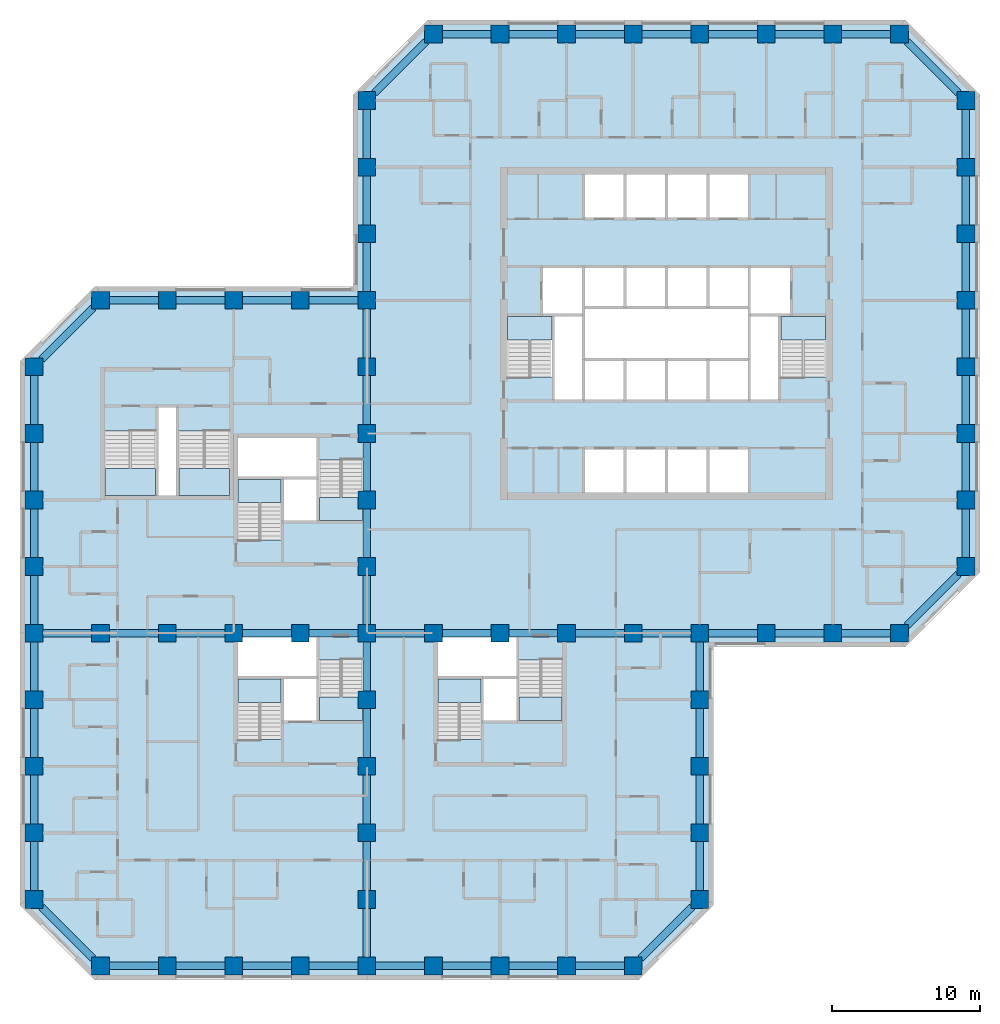
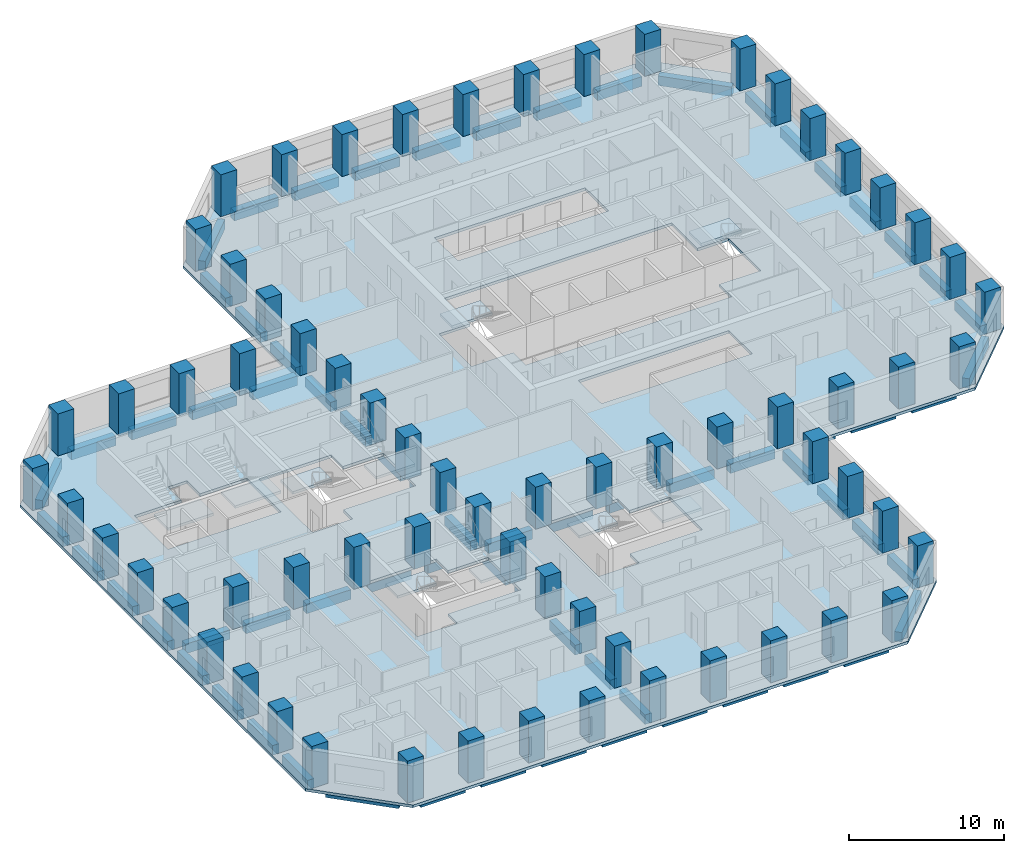
# One storey, part 1 of 12: 70 beams, 67 columns, 11 slabs, 10 elements without a shape of their own.
"""IFC4 building model written with IfcOpenShell, lengths in metres."""

from ifc_helpers import new_model, si_unit, direction, frame, origin, origin_2d, place, context, subcontext, project, spatial, polyline, rectangle, outline, extrude, material, layer, layer_set, material_profile, profile_set, type_object, element, aggregate, save


model = new_model("IFC4")

# Units and contexts
model_context = context("Model", 3, precision=1e-05, world=origin(), true_north=direction((0.0, 1.0)))
body_context = subcontext(model_context, "Body", "Model", "MODEL_VIEW")
ifc_project = project(units=[si_unit("LENGTHUNIT", "METRE"), si_unit("AREAUNIT", "SQUARE_METRE"), si_unit("VOLUMEUNIT", "CUBIC_METRE"), si_unit("PLANEANGLEUNIT", "RADIAN"), si_unit("MASSUNIT", "GRAM", prefix="KILO")], contexts=[model_context])

# Site, building, storey
site_placement = place(None, origin())
site = spatial("IfcSite", under=ifc_project, at=site_placement, CompositionType="ELEMENT")
building_placement = place(site_placement, origin())
building = spatial("IfcBuilding", under=site, at=building_placement, Name="Quoin Convention Tower", CompositionType="ELEMENT")
storey_placement = place(building_placement, frame((0.0, 0.0, 33.0)))
storey = spatial("IfcBuildingStorey", under=building, at=storey_placement, Name="L07", CompositionType="ELEMENT", Elevation=33.0)

# Columns
ifc_material_1 = material(Name="Concrete C80", Category="concrete")
ifc_material_profile_1 = material_profile(ifc_material_1, rectangle(XDim=1.199951171875, YDim=1.199951171875, at=origin_2d()), Name="RC 1200x1200")
ifc_profile_set_1 = profile_set([ifc_material_profile_1], Name="Concrete C80")
column_type = type_object("IfcColumnType", Name="RC 1200x1200 C80", PredefinedType="COLUMN", material=ifc_profile_set_1)
for number, where, z_axis, x_axis, name in (
    (1, (18.0, 18.0, 0.0), (0.0, 0.0, 1.0), (1.0, 0.0, 0.0), "col-L07-18000_18000"),
    (2, (22.5, 18.0, 0.0), (0.0, 0.0, 1.0), (1.0, 0.0, 0.0), "col-L07-22500_18000"),
    (3, (27.0, 18.0, 0.0), (0.0, 0.0, 1.0), (1.0, 0.0, 0.0), "col-L07-27000_18000"),
    (4, (31.5, 18.0, 0.0), (0.0, 0.0, 1.0), (1.0, 0.0, 0.0), "col-L07-31500_18000"),
    (5, (36.0, 18.0, 0.0), (0.0, 0.0, 1.0), (1.0, 0.0, 0.0), "col-L07-36000_18000"),
    (6, (40.5, 18.0, 0.0), (0.0, 0.0, 1.0), (1.0, 0.0, 0.0), "col-L07-40500_18000"),
    (7, (45.0, 18.0, 0.0), (0.0, 0.0, 1.0), (1.0, 0.0, 0.0), "col-L07-45000_18000"),
    (8, (49.5, 18.0, 0.0), (0.0, 0.0, 1.0), (1.0, 0.0, 0.0), "col-L07-49500_18000"),
    (9, (54.0, 18.0, 0.0), (0.0, 0.0, 1.0), (1.0, 0.0, 0.0), "col-L07-54000_18000"),
    (10, (13.5, 22.5, 0.0), (0.0, 0.0, 1.0), (1.0, 0.0, 0.0), "col-L07-13500_22500"),
    (11, (36.0, 22.5, 0.0), (0.0, 0.0, 1.0), (1.0, 0.0, 0.0), "web-L07-36000_22500"),
    (12, (58.5, 22.5, 0.0), (0.0, 0.0, 1.0), (1.0, 0.0, 0.0), "col-L07-58500_22500"),
    (13, (13.5, 27.0, 0.0), (0.0, 0.0, 1.0), (1.0, 0.0, 0.0), "col-L07-13500_27000"),
    (14, (36.0, 27.0, 0.0), (0.0, 0.0, 1.0), (1.0, 0.0, 0.0), "web-L07-36000_27000"),
    (15, (58.5, 27.0, 0.0), (0.0, 0.0, 1.0), (1.0, 0.0, 0.0), "col-L07-58500_27000"),
    (16, (13.5, 31.5, 0.0), (0.0, 0.0, 1.0), (1.0, 0.0, 0.0), "col-L07-13500_31500"),
    (17, (36.0, 31.5, 0.0), (0.0, 0.0, 1.0), (1.0, 0.0, 0.0), "web-L07-36000_31500"),
    (18, (58.5, 31.5, 0.0), (0.0, 0.0, 1.0), (1.0, 0.0, 0.0), "col-L07-58500_31500"),
    (19, (13.5, 36.0, 0.0), (0.0, 0.0, 1.0), (1.0, 0.0, 0.0), "col-L07-13500_36000"),
    (20, (36.0, 36.0, 0.0), (0.0, 0.0, 1.0), (1.0, 0.0, 0.0), "web-L07-36000_36000"),
    (21, (58.5, 36.0, 0.0), (0.0, 0.0, 1.0), (1.0, 0.0, 0.0), "col-L07-58500_36000"),
    (22, (13.5, 40.5, 0.0), (0.0, 0.0, 1.0), (1.0, 0.0, 0.0), "col-L07-13500_40500"),
    (23, (18.0, 40.5, 0.0), (0.0, 0.0, 1.0), (1.0, 0.0, 0.0), "web-L07-18000_40500"),
    (24, (22.5, 40.5, 0.0), (0.0, 0.0, 1.0), (1.0, 0.0, 0.0), "web-L07-22500_40500"),
    (25, (27.0, 40.5, 0.0), (0.0, 0.0, 1.0), (1.0, 0.0, 0.0), "web-L07-27000_40500"),
    (26, (31.5, 40.5, 0.0), (0.0, 0.0, 1.0), (1.0, 0.0, 0.0), "web-L07-31500_40500"),
    (27, (36.0, 40.5, 0.0), (0.0, 0.0, 1.0), (1.0, 0.0, 0.0), "web-L07-36000_40500"),
    (28, (40.5, 40.5, 0.0), (0.0, 0.0, 1.0), (1.0, 0.0, 0.0), "web-L07-40500_40500"),
    (29, (45.0, 40.5, 0.0), (0.0, 0.0, 1.0), (1.0, 0.0, 0.0), "web-L07-45000_40500"),
    (30, (49.5, 40.5, 0.0), (0.0, 0.0, 1.0), (1.0, 0.0, 0.0), "web-L07-49500_40500"),
    (31, (54.0, 40.5, 0.0), (0.0, 0.0, 1.0), (1.0, 0.0, 0.0), "web-L07-54000_40500"),
    (32, (58.5, 40.5, 0.0), (0.0, 0.0, 1.0), (1.0, 0.0, 0.0), "col-L07-58500_40500"),
    (33, (63.0, 40.5, 0.0), (0.0, 0.0, 1.0), (1.0, 0.0, 0.0), "col-L07-63000_40500"),
    (34, (67.5, 40.5, 0.0), (0.0, 0.0, 1.0), (1.0, 0.0, 0.0), "col-L07-67500_40500"),
    (35, (72.0, 40.5, 0.0), (0.0, 0.0, 1.0), (1.0, 0.0, 0.0), "col-L07-72000_40500"),
    (36, (13.5, 45.0, 0.0), (0.0, 0.0, 1.0), (1.0, 0.0, 0.0), "col-L07-13500_45000"),
    (37, (36.0, 45.0, 0.0), (0.0, 0.0, 1.0), (1.0, 0.0, 0.0), "web-L07-36000_45000"),
    (38, (76.5, 45.0, 0.0), (0.0, 0.0, 1.0), (1.0, 0.0, 0.0), "col-L07-76500_45000"),
    (39, (13.5, 49.5, 0.0), (0.0, 0.0, 1.0), (1.0, 0.0, 0.0), "col-L07-13500_49500"),
    (40, (36.0, 49.5, 0.0), (0.0, 0.0, 1.0), (1.0, 0.0, 0.0), "web-L07-36000_49500"),
    (41, (76.5, 49.5, 0.0), (0.0, 0.0, 1.0), (1.0, 0.0, 0.0), "col-L07-76500_49500"),
    (42, (13.5, 54.0, 0.0), (0.0, 0.0, 1.0), (1.0, 0.0, 0.0), "col-L07-13500_54000"),
    (43, (36.0, 54.0, 0.0), (0.0, 0.0, 1.0), (1.0, 0.0, 0.0), "web-L07-36000_54000"),
    (44, (76.5, 54.0, 0.0), (0.0, 0.0, 1.0), (1.0, 0.0, 0.0), "col-L07-76500_54000"),
    (45, (13.5, 58.5, 0.0), (0.0, 0.0, 1.0), (1.0, 0.0, 0.0), "col-L07-13500_58500"),
    (46, (36.0, 58.5, 0.0), (0.0, 0.0, 1.0), (1.0, 0.0, 0.0), "web-L07-36000_58500"),
    (47, (76.5, 58.5, 0.0), (0.0, 0.0, 1.0), (1.0, 0.0, 0.0), "col-L07-76500_58500"),
    (48, (18.0, 63.0, 0.0), (0.0, 0.0, 1.0), (1.0, 0.0, 0.0), "col-L07-18000_63000"),
    (49, (22.5, 63.0, 0.0), (0.0, 0.0, 1.0), (1.0, 0.0, 0.0), "col-L07-22500_63000"),
    (50, (27.0, 63.0, 0.0), (0.0, 0.0, 1.0), (1.0, 0.0, 0.0), "col-L07-27000_63000"),
    (51, (31.5, 63.0, 0.0), (0.0, 0.0, 1.0), (1.0, 0.0, 0.0), "col-L07-31500_63000"),
    (52, (36.0, 63.0, 0.0), (0.0, 0.0, 1.0), (1.0, 0.0, 0.0), "col-L07-36000_63000"),
    (53, (76.5, 63.0, 0.0), (0.0, 0.0, 1.0), (1.0, 0.0, 0.0), "col-L07-76500_63000"),
    (54, (36.0, 67.5, 0.0), (0.0, 0.0, 1.0), (1.0, 0.0, 0.0), "col-L07-36000_67500"),
    (55, (76.5, 67.5, 0.0), (0.0, 0.0, 1.0), (1.0, 0.0, 0.0), "col-L07-76500_67500"),
    (56, (36.0, 72.0, 0.0), (0.0, 0.0, 1.0), (1.0, 0.0, 0.0), "col-L07-36000_72000"),
    (57, (76.5, 72.0, 0.0), (0.0, 0.0, 1.0), (1.0, 0.0, 0.0), "col-L07-76500_72000"),
    (58, (36.0, 76.5, 0.0), (0.0, 0.0, 1.0), (1.0, 0.0, 0.0), "col-L07-36000_76500"),
    (59, (76.5, 76.5, 0.0), (0.0, 0.0, 1.0), (1.0, 0.0, 0.0), "col-L07-76500_76500"),
    (60, (40.5, 81.0, 0.0), (0.0, 0.0, 1.0), (1.0, 0.0, 0.0), "col-L07-40500_81000"),
    (61, (45.0, 81.0, 0.0), (0.0, 0.0, 1.0), (1.0, 0.0, 0.0), "col-L07-45000_81000"),
    (62, (49.5, 81.0, 0.0), (0.0, 0.0, 1.0), (1.0, 0.0, 0.0), "col-L07-49500_81000"),
    (63, (54.0, 81.0, 0.0), (0.0, 0.0, 1.0), (1.0, 0.0, 0.0), "col-L07-54000_81000"),
    (64, (58.5, 81.0, 0.0), (0.0, 0.0, 1.0), (1.0, 0.0, 0.0), "col-L07-58500_81000"),
    (65, (63.0, 81.0, 0.0), (0.0, 0.0, 1.0), (1.0, 0.0, 0.0), "col-L07-63000_81000"),
    (66, (67.5, 81.0, 0.0), (0.0, 0.0, 1.0), (1.0, 0.0, 0.0), "col-L07-67500_81000"),
    (67, (72.0, 81.0, 0.0), (0.0, 0.0, 1.0), (1.0, 0.0, 0.0), "col-L07-72000_81000"),
):
    element("IfcColumn", number, at=place(storey_placement, frame(where, z_axis=z_axis, x_axis=x_axis)), inside=storey, type_object=column_type, Name=name, PredefinedType="COLUMN", context=body_context, shape_type="SweptSolid", body=[
        extrude(rectangle(XDim=1.199951171875, YDim=1.199951171875, at=origin_2d()), origin(), (0.0, 0.0, 1.0), 3.300048828125),
    ])

# Beams
ifc_material_profile_2 = material_profile(ifc_material_1, rectangle(XDim=0.5, YDim=0.75, at=origin_2d()), Name="RC 500x750")
ifc_profile_set_2 = profile_set([ifc_material_profile_2], Name="Concrete C80")
beam_type = type_object("IfcBeamType", Name="RC 500x750 C80", PredefinedType="SPANDREL", material=ifc_profile_set_2)
beam_1_placement = place(storey_placement, frame((14.01513671875, 21.98486328125, -0.594970703125), z_axis=(0.707106781187, -0.707106781187, 0.0), x_axis=(0.707106781187, 0.707106781187, 0.0)))
element("IfcBeam", 68, at=beam_1_placement, inside=storey, type_object=beam_type, Name="spd-L07-13500_22500-18000_18000", PredefinedType="SPANDREL", context=body_context, shape_type="SweptSolid", body=[
    extrude(rectangle(XDim=0.5, YDim=0.75, at=origin_2d()), origin(), (0.0, 0.0, 1.0), 4.906982421875),
])
for number, where, z_axis, x_axis, name in (
    (69, (18.60009765625, 18.0, -0.594970703125), (1.0, 0.0, 0.0), (0.0, 1.0, 0.0), "spd-L07-18000_18000-22500_18000"),
    (70, (23.10009765625, 18.0, -0.594970703125), (1.0, 0.0, 0.0), (0.0, 1.0, 0.0), "spd-L07-22500_18000-27000_18000"),
    (71, (27.60009765625, 18.0, -0.594970703125), (1.0, 0.0, 0.0), (0.0, 1.0, 0.0), "spd-L07-27000_18000-31500_18000"),
    (72, (32.10009765625, 18.0, -0.594970703125), (1.0, 0.0, 0.0), (0.0, 1.0, 0.0), "spd-L07-31500_18000-36000_18000"),
    (73, (36.60009765625, 18.0, -0.594970703125), (1.0, 0.0, 0.0), (0.0, 1.0, 0.0), "spd-L07-36000_18000-40500_18000"),
    (74, (41.10009765625, 18.0, -0.594970703125), (1.0, 0.0, 0.0), (0.0, 1.0, 0.0), "spd-L07-40500_18000-45000_18000"),
    (75, (45.60009765625, 18.0, -0.594970703125), (1.0, 0.0, 0.0), (0.0, 1.0, 0.0), "spd-L07-45000_18000-49500_18000"),
    (76, (50.10009765625, 18.0, -0.594970703125), (1.0, 0.0, 0.0), (0.0, 1.0, 0.0), "spd-L07-49500_18000-54000_18000"),
):
    element("IfcBeam", number, at=place(storey_placement, frame(where, z_axis=z_axis, x_axis=x_axis)), inside=storey, type_object=beam_type, Name=name, PredefinedType="SPANDREL", context=body_context, shape_type="SweptSolid", body=[
        extrude(rectangle(XDim=0.5, YDim=0.75, at=origin_2d()), origin(), (0.0, 0.0, 1.0), 3.2998046875),
    ])
beam_2_placement = place(storey_placement, frame((54.51513671875, 18.51513671875, -0.594970703125), z_axis=(0.707106781187, 0.707106781187, 0.0), x_axis=(-0.707106781187, 0.707106781187, 0.0)))
element("IfcBeam", 77, at=beam_2_placement, inside=storey, type_object=beam_type, Name="spd-L07-54000_18000-58500_22500", PredefinedType="SPANDREL", context=body_context, shape_type="SweptSolid", body=[
    extrude(rectangle(XDim=0.5, YDim=0.75, at=origin_2d()), origin(), (0.0, 0.0, 1.0), 4.906982421875),
])
for number, where, z_axis, x_axis, name in (
    (78, (58.5, 23.10009765625, -0.594970703125), (0.0, 1.0, 0.0), (-1.0, 0.0, 0.0), "spd-L07-58500_22500-58500_27000"),
    (79, (58.5, 27.60009765625, -0.594970703125), (0.0, 1.0, 0.0), (-1.0, 0.0, 0.0), "spd-L07-58500_27000-58500_31500"),
    (80, (58.5, 32.10009765625, -0.594970703125), (0.0, 1.0, 0.0), (-1.0, 0.0, 0.0), "spd-L07-58500_31500-58500_36000"),
    (81, (58.5, 36.60009765625, -0.594970703125), (0.0, 1.0, 0.0), (-1.0, 0.0, 0.0), "spd-L07-58500_36000-58500_40500"),
    (82, (59.10009765625, 40.5, -0.594970703125), (1.0, 0.0, 0.0), (0.0, 1.0, 0.0), "spd-L07-58500_40500-63000_40500"),
    (83, (63.60009765625, 40.5, -0.594970703125), (1.0, 0.0, 0.0), (0.0, 1.0, 0.0), "spd-L07-63000_40500-67500_40500"),
    (84, (68.10009765625, 40.5, -0.594970703125), (1.0, 0.0, 0.0), (0.0, 1.0, 0.0), "spd-L07-67500_40500-72000_40500"),
):
    element("IfcBeam", number, at=place(storey_placement, frame(where, z_axis=z_axis, x_axis=x_axis)), inside=storey, type_object=beam_type, Name=name, PredefinedType="SPANDREL", context=body_context, shape_type="SweptSolid", body=[
        extrude(rectangle(XDim=0.5, YDim=0.75, at=origin_2d()), origin(), (0.0, 0.0, 1.0), 3.2998046875),
    ])
beam_3_placement = place(storey_placement, frame((72.51513671875, 41.01513671875, -0.594970703125), z_axis=(0.707106781187, 0.707106781187, 0.0), x_axis=(-0.707106781187, 0.707106781187, 0.0)))
element("IfcBeam", 85, at=beam_3_placement, inside=storey, type_object=beam_type, Name="spd-L07-72000_40500-76500_45000", PredefinedType="SPANDREL", context=body_context, shape_type="SweptSolid", body=[
    extrude(rectangle(XDim=0.5, YDim=0.75, at=origin_2d()), origin(), (0.0, 0.0, 1.0), 4.906982421875),
])
for number, where, z_axis, x_axis, name in (
    (86, (76.5, 45.60009765625, -0.594970703125), (0.0, 1.0, 0.0), (-1.0, 0.0, 0.0), "spd-L07-76500_45000-76500_49500"),
    (87, (76.5, 50.10009765625, -0.594970703125), (0.0, 1.0, 0.0), (-1.0, 0.0, 0.0), "spd-L07-76500_49500-76500_54000"),
    (88, (76.5, 54.60009765625, -0.594970703125), (0.0, 1.0, 0.0), (-1.0, 0.0, 0.0), "spd-L07-76500_54000-76500_58500"),
    (89, (76.5, 59.10009765625, -0.594970703125), (0.0, 1.0, 0.0), (-1.0, 0.0, 0.0), "spd-L07-76500_58500-76500_63000"),
    (90, (76.5, 63.60009765625, -0.594970703125), (0.0, 1.0, 0.0), (-1.0, 0.0, 0.0), "spd-L07-76500_63000-76500_67500"),
    (91, (76.5, 68.10009765625, -0.594970703125), (0.0, 1.0, 0.0), (-1.0, 0.0, 0.0), "spd-L07-76500_67500-76500_72000"),
    (92, (76.5, 72.60009765625, -0.594970703125), (0.0, 1.0, 0.0), (-1.0, 0.0, 0.0), "spd-L07-76500_72000-76500_76500"),
):
    element("IfcBeam", number, at=place(storey_placement, frame(where, z_axis=z_axis, x_axis=x_axis)), inside=storey, type_object=beam_type, Name=name, PredefinedType="SPANDREL", context=body_context, shape_type="SweptSolid", body=[
        extrude(rectangle(XDim=0.5, YDim=0.75, at=origin_2d()), origin(), (0.0, 0.0, 1.0), 3.2998046875),
    ])
beam_4_placement = place(storey_placement, frame((75.98486328125, 77.01513671875, -0.594970703125), z_axis=(-0.707106781187, 0.707106781187, 0.0), x_axis=(-0.707106781187, -0.707106781187, 0.0)))
element("IfcBeam", 93, at=beam_4_placement, inside=storey, type_object=beam_type, Name="spd-L07-76500_76500-72000_81000", PredefinedType="SPANDREL", context=body_context, shape_type="SweptSolid", body=[
    extrude(rectangle(XDim=0.5, YDim=0.75, at=origin_2d()), origin(), (0.0, 0.0, 1.0), 4.906982421875),
])
for number, where, z_axis, x_axis, name in (
    (94, (71.39990234375, 81.0, -0.594970703125), (-1.0, 0.0, 0.0), (0.0, -1.0, 0.0), "spd-L07-72000_81000-67500_81000"),
    (95, (66.89990234375, 81.0, -0.594970703125), (-1.0, 0.0, 0.0), (0.0, -1.0, 0.0), "spd-L07-67500_81000-63000_81000"),
    (96, (62.39990234375, 81.0, -0.594970703125), (-1.0, 0.0, 0.0), (0.0, -1.0, 0.0), "spd-L07-63000_81000-58500_81000"),
    (97, (57.89990234375, 81.0, -0.594970703125), (-1.0, 0.0, 0.0), (0.0, -1.0, 0.0), "spd-L07-58500_81000-54000_81000"),
    (98, (53.39990234375, 81.0, -0.594970703125), (-1.0, 0.0, 0.0), (0.0, -1.0, 0.0), "spd-L07-54000_81000-49500_81000"),
    (99, (48.89990234375, 81.0, -0.594970703125), (-1.0, 0.0, 0.0), (0.0, -1.0, 0.0), "spd-L07-49500_81000-45000_81000"),
    (100, (44.39990234375, 81.0, -0.594970703125), (-1.0, 0.0, 0.0), (0.0, -1.0, 0.0), "spd-L07-45000_81000-40500_81000"),
):
    element("IfcBeam", number, at=place(storey_placement, frame(where, z_axis=z_axis, x_axis=x_axis)), inside=storey, type_object=beam_type, Name=name, PredefinedType="SPANDREL", context=body_context, shape_type="SweptSolid", body=[
        extrude(rectangle(XDim=0.5, YDim=0.75, at=origin_2d()), origin(), (0.0, 0.0, 1.0), 3.2998046875),
    ])
beam_5_placement = place(storey_placement, frame((39.98486328125, 80.48486328125, -0.594970703125), z_axis=(-0.707106781187, -0.707106781187, 0.0), x_axis=(0.707106781187, -0.707106781187, 0.0)))
element("IfcBeam", 101, at=beam_5_placement, inside=storey, type_object=beam_type, Name="spd-L07-40500_81000-36000_76500", PredefinedType="SPANDREL", context=body_context, shape_type="SweptSolid", body=[
    extrude(rectangle(XDim=0.5, YDim=0.75, at=origin_2d()), origin(), (0.0, 0.0, 1.0), 4.906982421875),
])
for number, where, z_axis, x_axis, name in (
    (102, (36.0, 75.89990234375, -0.594970703125), (0.0, -1.0, 0.0), (1.0, 0.0, 0.0), "spd-L07-36000_76500-36000_72000"),
    (103, (36.0, 71.39990234375, -0.594970703125), (0.0, -1.0, 0.0), (1.0, 0.0, 0.0), "spd-L07-36000_72000-36000_67500"),
    (104, (36.0, 66.89990234375, -0.594970703125), (0.0, -1.0, 0.0), (1.0, 0.0, 0.0), "spd-L07-36000_67500-36000_63000"),
    (105, (35.39990234375, 63.0, -0.594970703125), (-1.0, 0.0, 0.0), (0.0, -1.0, 0.0), "spd-L07-36000_63000-31500_63000"),
    (106, (30.89990234375, 63.0, -0.594970703125), (-1.0, 0.0, 0.0), (0.0, -1.0, 0.0), "spd-L07-31500_63000-27000_63000"),
    (107, (26.39990234375, 63.0, -0.594970703125), (-1.0, 0.0, 0.0), (0.0, -1.0, 0.0), "spd-L07-27000_63000-22500_63000"),
    (108, (21.89990234375, 63.0, -0.594970703125), (-1.0, 0.0, 0.0), (0.0, -1.0, 0.0), "spd-L07-22500_63000-18000_63000"),
):
    element("IfcBeam", number, at=place(storey_placement, frame(where, z_axis=z_axis, x_axis=x_axis)), inside=storey, type_object=beam_type, Name=name, PredefinedType="SPANDREL", context=body_context, shape_type="SweptSolid", body=[
        extrude(rectangle(XDim=0.5, YDim=0.75, at=origin_2d()), origin(), (0.0, 0.0, 1.0), 3.2998046875),
    ])
beam_6_placement = place(storey_placement, frame((17.48486328125, 62.48486328125, -0.594970703125), z_axis=(-0.707106781187, -0.707106781187, 0.0), x_axis=(0.707106781187, -0.707106781187, 0.0)))
element("IfcBeam", 109, at=beam_6_placement, inside=storey, type_object=beam_type, Name="spd-L07-18000_63000-13500_58500", PredefinedType="SPANDREL", context=body_context, shape_type="SweptSolid", body=[
    extrude(rectangle(XDim=0.5, YDim=0.75, at=origin_2d()), origin(), (0.0, 0.0, 1.0), 4.906982421875),
])
for number, where, z_axis, x_axis, name in (
    (110, (13.5, 57.89990234375, -0.594970703125), (0.0, -1.0, 0.0), (1.0, 0.0, 0.0), "spd-L07-13500_58500-13500_54000"),
    (111, (13.5, 53.39990234375, -0.594970703125), (0.0, -1.0, 0.0), (1.0, 0.0, 0.0), "spd-L07-13500_54000-13500_49500"),
    (112, (13.5, 48.89990234375, -0.594970703125), (0.0, -1.0, 0.0), (1.0, 0.0, 0.0), "spd-L07-13500_49500-13500_45000"),
    (113, (13.5, 44.39990234375, -0.594970703125), (0.0, -1.0, 0.0), (1.0, 0.0, 0.0), "spd-L07-13500_45000-13500_40500"),
    (114, (13.5, 39.89990234375, -0.594970703125), (0.0, -1.0, 0.0), (1.0, 0.0, 0.0), "spd-L07-13500_40500-13500_36000"),
    (115, (13.5, 35.39990234375, -0.594970703125), (0.0, -1.0, 0.0), (1.0, 0.0, 0.0), "spd-L07-13500_36000-13500_31500"),
    (116, (13.5, 30.89990234375, -0.594970703125), (0.0, -1.0, 0.0), (1.0, 0.0, 0.0), "spd-L07-13500_31500-13500_27000"),
    (117, (13.5, 26.39990234375, -0.594970703125), (0.0, -1.0, 0.0), (1.0, 0.0, 0.0), "spd-L07-13500_27000-13500_22500"),
    (118, (14.10009765625, 40.5, -0.594970703125), (1.0, 0.0, 0.0), (0.0, 1.0, 0.0), "spd-L07-13500_40500-18000_40500"),
    (119, (18.60009765625, 40.5, -0.594970703125), (1.0, 0.0, 0.0), (0.0, 1.0, 0.0), "spd-L07-18000_40500-22500_40500"),
    (120, (23.10009765625, 40.5, -0.594970703125), (1.0, 0.0, 0.0), (0.0, 1.0, 0.0), "spd-L07-22500_40500-27000_40500"),
    (121, (27.60009765625, 40.5, -0.594970703125), (1.0, 0.0, 0.0), (0.0, 1.0, 0.0), "spd-L07-27000_40500-31500_40500"),
    (122, (32.10009765625, 40.5, -0.594970703125), (1.0, 0.0, 0.0), (0.0, 1.0, 0.0), "spd-L07-31500_40500-36000_40500"),
    (123, (36.60009765625, 40.5, -0.594970703125), (1.0, 0.0, 0.0), (0.0, 1.0, 0.0), "spd-L07-36000_40500-40500_40500"),
    (124, (41.10009765625, 40.5, -0.594970703125), (1.0, 0.0, 0.0), (0.0, 1.0, 0.0), "spd-L07-40500_40500-45000_40500"),
    (125, (45.60009765625, 40.5, -0.594970703125), (1.0, 0.0, 0.0), (0.0, 1.0, 0.0), "spd-L07-45000_40500-49500_40500"),
    (126, (50.10009765625, 40.5, -0.594970703125), (1.0, 0.0, 0.0), (0.0, 1.0, 0.0), "spd-L07-49500_40500-54000_40500"),
    (127, (54.60009765625, 40.5, -0.594970703125), (1.0, 0.0, 0.0), (0.0, 1.0, 0.0), "spd-L07-54000_40500-58500_40500"),
    (128, (36.0, 18.60009765625, -0.594970703125), (0.0, 1.0, 0.0), (-1.0, 0.0, 0.0), "spd-L07-36000_18000-36000_22500"),
    (129, (36.0, 23.10009765625, -0.594970703125), (0.0, 1.0, 0.0), (-1.0, 0.0, 0.0), "spd-L07-36000_22500-36000_27000"),
    (130, (36.0, 27.60009765625, -0.594970703125), (0.0, 1.0, 0.0), (-1.0, 0.0, 0.0), "spd-L07-36000_27000-36000_31500"),
    (131, (36.0, 32.10009765625, -0.594970703125), (0.0, 1.0, 0.0), (-1.0, 0.0, 0.0), "spd-L07-36000_31500-36000_36000"),
    (132, (36.0, 36.60009765625, -0.594970703125), (0.0, 1.0, 0.0), (-1.0, 0.0, 0.0), "spd-L07-36000_36000-36000_40500"),
    (133, (36.0, 41.10009765625, -0.594970703125), (0.0, 1.0, 0.0), (-1.0, 0.0, 0.0), "spd-L07-36000_40500-36000_45000"),
    (134, (36.0, 45.60009765625, -0.594970703125), (0.0, 1.0, 0.0), (-1.0, 0.0, 0.0), "spd-L07-36000_45000-36000_49500"),
    (135, (36.0, 50.10009765625, -0.594970703125), (0.0, 1.0, 0.0), (-1.0, 0.0, 0.0), "spd-L07-36000_49500-36000_54000"),
    (136, (36.0, 54.60009765625, -0.594970703125), (0.0, 1.0, 0.0), (-1.0, 0.0, 0.0), "spd-L07-36000_54000-36000_58500"),
    (137, (36.0, 59.10009765625, -0.594970703125), (0.0, 1.0, 0.0), (-1.0, 0.0, 0.0), "spd-L07-36000_58500-36000_63000"),
):
    element("IfcBeam", number, at=place(storey_placement, frame(where, z_axis=z_axis, x_axis=x_axis)), inside=storey, type_object=beam_type, Name=name, PredefinedType="SPANDREL", context=body_context, shape_type="SweptSolid", body=[
        extrude(rectangle(XDim=0.5, YDim=0.75, at=origin_2d()), origin(), (0.0, 0.0, 1.0), 3.2998046875),
    ])

# Slab
ifc_material_2 = material(Name="Concrete C50", Category="concrete")
ifc_layer_1 = layer(ifc_material_2, 0.219970703125)
ifc_layer_set_1 = layer_set([ifc_layer_1], Name="Concrete C50")
slab_type_1 = type_object("IfcSlabType", Name="RC SLAB 220 C50", PredefinedType="FLOOR", material=ifc_layer_set_1)
slab_1_placement = place(storey_placement, frame((0.0, 0.0, -0.219970703125)))
element("IfcSlab", 138, at=slab_1_placement, inside=storey, type_object=slab_type_1, Name="slb-L07", PredefinedType="FLOOR", context=body_context, shape_type="SweptSolid", body=[
    extrude(outline(polyline([(12.550048828125, 58.8935546875), (17.6064453125, 63.949951171875), (35.050048828125, 63.949951171875), (35.050048828125, 76.8935546875), (40.1064453125, 81.949951171875), (72.3935546875, 81.949951171875), (77.449951171875, 76.8935546875), (77.449951171875, 44.6064453125), (72.3935546875, 39.550048828125), (59.449951171875, 39.550048828125), (59.449951171875, 22.1064453125), (54.3935546875, 17.050048828125), (17.6064453125, 17.050048828125), (12.550048828125, 22.1064453125), (12.550048828125, 58.8935546875)]), holes=[polyline([(30.300048828125, 33.300537109375), (30.300048828125, 34.5), (32.699951171875, 34.5), (35.699951171875, 34.5), (35.699951171875, 38.699462890625), (32.699951171875, 38.699462890625), (32.699951171875, 40.199951171875), (27.300048828125, 40.199951171875), (27.300048828125, 37.5), (27.300048828125, 33.300537109375), (30.300048828125, 33.300537109375)]), polyline([(43.800048828125, 33.300537109375), (43.800048828125, 34.5), (46.199951171875, 34.5), (49.199951171875, 34.5), (49.199951171875, 38.699462890625), (46.199951171875, 38.699462890625), (46.199951171875, 40.199951171875), (40.800048828125, 40.199951171875), (40.800048828125, 37.5), (40.800048828125, 33.300537109375), (43.800048828125, 33.300537109375)]), polyline([(27.300048828125, 46.800537109375), (30.300048828125, 46.800537109375), (30.300048828125, 48.0), (32.699951171875, 48.0), (35.699951171875, 48.0), (35.699951171875, 52.199462890625), (32.699951171875, 52.199462890625), (32.699951171875, 53.699951171875), (27.300048828125, 53.699951171875), (27.300048828125, 51.0), (27.300048828125, 46.800537109375)]), polyline([(53.449951171875, 50.0), (56.25, 50.0), (59.050048828125, 50.0), (61.85009765625, 50.0), (61.85009765625, 53.0), (59.050048828125, 53.0), (56.25, 53.0), (53.449951171875, 53.0), (50.64990234375, 53.0), (50.64990234375, 50.0), (53.449951171875, 50.0)]), polyline([(23.199951171875, 49.800048828125), (26.699951171875, 49.800048828125), (26.699951171875, 54.1494140625), (23.199951171875, 54.1494140625), (23.199951171875, 55.85009765625), (21.800048828125, 55.85009765625), (21.800048828125, 54.1494140625), (18.300048828125, 54.1494140625), (18.300048828125, 49.800048828125), (21.800048828125, 49.800048828125), (23.199951171875, 49.800048828125)]), polyline([(45.5, 57.800537109375), (48.60009765625, 57.800537109375), (48.60009765625, 56.199951171875), (50.64990234375, 56.199951171875), (53.449951171875, 56.199951171875), (56.25, 56.199951171875), (59.050048828125, 56.199951171875), (61.85009765625, 56.199951171875), (63.89990234375, 56.199951171875), (63.89990234375, 57.800537109375), (67.0, 57.800537109375), (67.0, 62.0), (64.699951171875, 62.0), (64.699951171875, 65.300048828125), (61.85009765625, 65.300048828125), (59.050048828125, 65.300048828125), (56.25, 65.300048828125), (53.449951171875, 65.300048828125), (50.64990234375, 65.300048828125), (47.800048828125, 65.300048828125), (47.800048828125, 62.0), (45.5, 62.0), (45.5, 57.800537109375)]), polyline([(59.050048828125, 68.5), (61.85009765625, 68.5), (61.85009765625, 71.5), (59.050048828125, 71.5), (56.25, 71.5), (53.449951171875, 71.5), (50.64990234375, 71.5), (50.64990234375, 68.5), (53.449951171875, 68.5), (56.25, 68.5), (59.050048828125, 68.5)])]), origin(), (0.0, 0.0, 1.0), 0.219970703125),
])

# Stair, slab
ifc_material_3 = material(Name="Concrete C40", Category="concrete")
stair_type_1 = type_object("IfcStairType", Name="Exit stair two-flight 1350", PredefinedType="HALF_TURN_STAIR", material=ifc_material_3)
stair_1_placement = place(storey_placement, origin())
stair_1 = element("IfcStair", 139, at=stair_1_placement, inside=storey, type_object=stair_type_1, Name="SD1 L07", PredefinedType="HALF_TURN_STAIR")
ifc_layer_2 = layer(ifc_material_3, 0.199951171875)
ifc_layer_set_2 = layer_set([ifc_layer_2], Name="Concrete C40")
slab_type_2 = type_object("IfcSlabType", Name="Stair landing 200", PredefinedType="LANDING", material=ifc_layer_set_2)
slab_2_placement = place(storey_placement, frame((0.0, 0.0, 1.449951171875)))
slab_2 = element("IfcSlab", 140, at=slab_2_placement, type_object=slab_type_2, Name="ST1 landing 1", PredefinedType="LANDING", context=body_context, shape_type="SweptSolid", body=[
    extrude(outline(polyline([(45.5, 60.320068359375), (48.5, 60.320068359375), (48.5, 61.89990234375), (45.5, 61.89990234375), (45.5, 60.320068359375)])), origin(), (0.0, 0.0, 1.0), 0.199951171875),
])
aggregate(stair_1, [slab_2])

stair_2_placement = place(storey_placement, origin())
stair_2 = element("IfcStair", 141, at=stair_2_placement, inside=storey, type_object=stair_type_1, Name="SD2 L07", PredefinedType="HALF_TURN_STAIR")
slab_3_placement = place(storey_placement, frame((0.0, 0.0, 1.449951171875)))
slab_3 = element("IfcSlab", 142, at=slab_3_placement, type_object=slab_type_2, Name="ST2 landing 1", PredefinedType="LANDING", context=body_context, shape_type="SweptSolid", body=[
    extrude(outline(polyline([(64.0, 60.320068359375), (67.0, 60.320068359375), (67.0, 61.89990234375), (64.0, 61.89990234375), (64.0, 60.320068359375)])), origin(), (0.0, 0.0, 1.0), 0.199951171875),
])
aggregate(stair_2, [slab_3])

stair_3_placement = place(storey_placement, origin())
stair_3 = element("IfcStair", 143, at=stair_3_placement, inside=storey, type_object=stair_type_1, Name="SD3 L07", PredefinedType="HALF_TURN_STAIR")
slab_4_placement = place(storey_placement, frame((0.0, 0.0, 1.449951171875)))
slab_4 = element("IfcSlab", 144, at=slab_4_placement, type_object=slab_type_2, Name="ST3 landing 1", PredefinedType="LANDING", context=body_context, shape_type="SweptSolid", body=[
    extrude(outline(polyline([(27.300048828125, 49.320068359375), (30.199951171875, 49.320068359375), (30.199951171875, 50.89990234375), (27.300048828125, 50.89990234375), (27.300048828125, 49.320068359375)])), origin(), (0.0, 0.0, 1.0), 0.199951171875),
])
aggregate(stair_3, [slab_4])

stair_4_placement = place(storey_placement, origin())
stair_4 = element("IfcStair", 145, at=stair_4_placement, inside=storey, type_object=stair_type_1, Name="SD4 L07", PredefinedType="HALF_TURN_STAIR")
slab_5_placement = place(storey_placement, frame((0.0, 0.0, 1.449951171875)))
slab_5 = element("IfcSlab", 146, at=slab_5_placement, type_object=slab_type_2, Name="ST4 landing 1", PredefinedType="LANDING", context=body_context, shape_type="SweptSolid", body=[
    extrude(outline(polyline([(35.699951171875, 49.679931640625), (32.800048828125, 49.679931640625), (32.800048828125, 48.10009765625), (35.699951171875, 48.10009765625), (35.699951171875, 49.679931640625)])), origin(), (0.0, 0.0, 1.0), 0.199951171875),
])
aggregate(stair_4, [slab_5])

stair_5_placement = place(storey_placement, origin())
stair_5 = element("IfcStair", 147, at=stair_5_placement, inside=storey, type_object=stair_type_1, Name="SD5 L07", PredefinedType="HALF_TURN_STAIR")
slab_6_placement = place(storey_placement, frame((0.0, 0.0, 1.449951171875)))
slab_6 = element("IfcSlab", 148, at=slab_6_placement, type_object=slab_type_2, Name="ST5 landing 1", PredefinedType="LANDING", context=body_context, shape_type="SweptSolid", body=[
    extrude(outline(polyline([(40.800048828125, 35.820068359375), (43.699951171875, 35.820068359375), (43.699951171875, 37.39990234375), (40.800048828125, 37.39990234375), (40.800048828125, 35.820068359375)])), origin(), (0.0, 0.0, 1.0), 0.199951171875),
])
aggregate(stair_5, [slab_6])

stair_6_placement = place(storey_placement, origin())
stair_6 = element("IfcStair", 149, at=stair_6_placement, inside=storey, type_object=stair_type_1, Name="SD6 L07", PredefinedType="HALF_TURN_STAIR")
slab_7_placement = place(storey_placement, frame((0.0, 0.0, 1.449951171875)))
slab_7 = element("IfcSlab", 150, at=slab_7_placement, type_object=slab_type_2, Name="ST6 landing 1", PredefinedType="LANDING", context=body_context, shape_type="SweptSolid", body=[
    extrude(outline(polyline([(49.199951171875, 36.179931640625), (46.300048828125, 36.179931640625), (46.300048828125, 34.60009765625), (49.199951171875, 34.60009765625), (49.199951171875, 36.179931640625)])), origin(), (0.0, 0.0, 1.0), 0.199951171875),
])
aggregate(stair_6, [slab_7])

stair_7_placement = place(storey_placement, origin())
stair_7 = element("IfcStair", 151, at=stair_7_placement, inside=storey, type_object=stair_type_1, Name="SD7 L07", PredefinedType="HALF_TURN_STAIR")
slab_8_placement = place(storey_placement, frame((0.0, 0.0, 1.449951171875)))
slab_8 = element("IfcSlab", 152, at=slab_8_placement, type_object=slab_type_2, Name="ST7 landing 1", PredefinedType="LANDING", context=body_context, shape_type="SweptSolid", body=[
    extrude(outline(polyline([(27.300048828125, 35.820068359375), (30.199951171875, 35.820068359375), (30.199951171875, 37.39990234375), (27.300048828125, 37.39990234375), (27.300048828125, 35.820068359375)])), origin(), (0.0, 0.0, 1.0), 0.199951171875),
])
aggregate(stair_7, [slab_8])

stair_8_placement = place(storey_placement, origin())
stair_8 = element("IfcStair", 153, at=stair_8_placement, inside=storey, type_object=stair_type_1, Name="SD8 L07", PredefinedType="HALF_TURN_STAIR")
slab_9_placement = place(storey_placement, frame((0.0, 0.0, 1.449951171875)))
slab_9 = element("IfcSlab", 154, at=slab_9_placement, type_object=slab_type_2, Name="ST8 landing 1", PredefinedType="LANDING", context=body_context, shape_type="SweptSolid", body=[
    extrude(outline(polyline([(35.699951171875, 36.179931640625), (32.800048828125, 36.179931640625), (32.800048828125, 34.60009765625), (35.699951171875, 34.60009765625), (35.699951171875, 36.179931640625)])), origin(), (0.0, 0.0, 1.0), 0.199951171875),
])
aggregate(stair_8, [slab_9])

stair_type_2 = type_object("IfcStairType", Name="Exit stair two-flight 1600", PredefinedType="HALF_TURN_STAIR", material=ifc_material_3)
stair_9_placement = place(storey_placement, origin())
stair_9 = element("IfcStair", 155, at=stair_9_placement, inside=storey, type_object=stair_type_2, Name="SD11 L07", PredefinedType="HALF_TURN_STAIR")
slab_10_placement = place(storey_placement, frame((0.0, 0.0, 1.449951171875)))
slab_10 = element("IfcSlab", 156, at=slab_10_placement, type_object=slab_type_2, Name="ST11 landing 1", PredefinedType="LANDING", context=body_context, shape_type="SweptSolid", body=[
    extrude(outline(polyline([(21.699951171875, 51.6298828125), (18.300048828125, 51.6298828125), (18.300048828125, 49.800048828125), (21.699951171875, 49.800048828125), (21.699951171875, 51.6298828125)])), origin(), (0.0, 0.0, 1.0), 0.199951171875),
])
aggregate(stair_9, [slab_10])

stair_10_placement = place(storey_placement, origin())
stair_10 = element("IfcStair", 157, at=stair_10_placement, inside=storey, type_object=stair_type_2, Name="SD12 L07", PredefinedType="HALF_TURN_STAIR")
slab_11_placement = place(storey_placement, frame((0.0, 0.0, 1.449951171875)))
slab_11 = element("IfcSlab", 158, at=slab_11_placement, type_object=slab_type_2, Name="ST12 landing 1", PredefinedType="LANDING", context=body_context, shape_type="SweptSolid", body=[
    extrude(outline(polyline([(26.699951171875, 51.6298828125), (23.300048828125, 51.6298828125), (23.300048828125, 49.800048828125), (26.699951171875, 49.800048828125), (26.699951171875, 51.6298828125)])), origin(), (0.0, 0.0, 1.0), 0.199951171875),
])
aggregate(stair_10, [slab_11])

save(model, "model.ifc")
